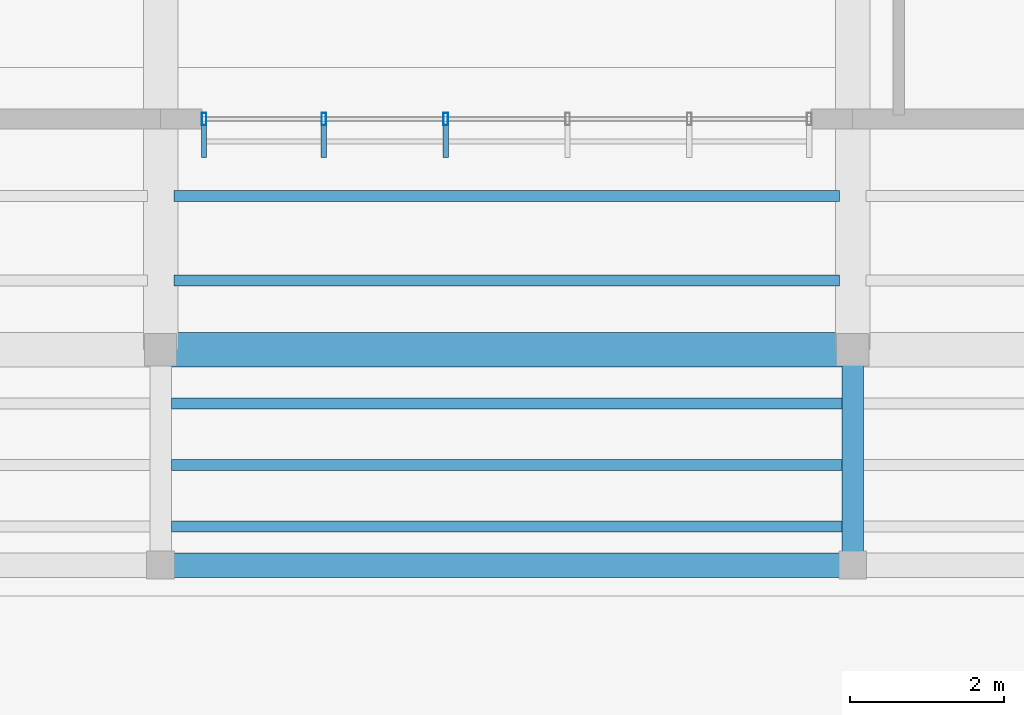
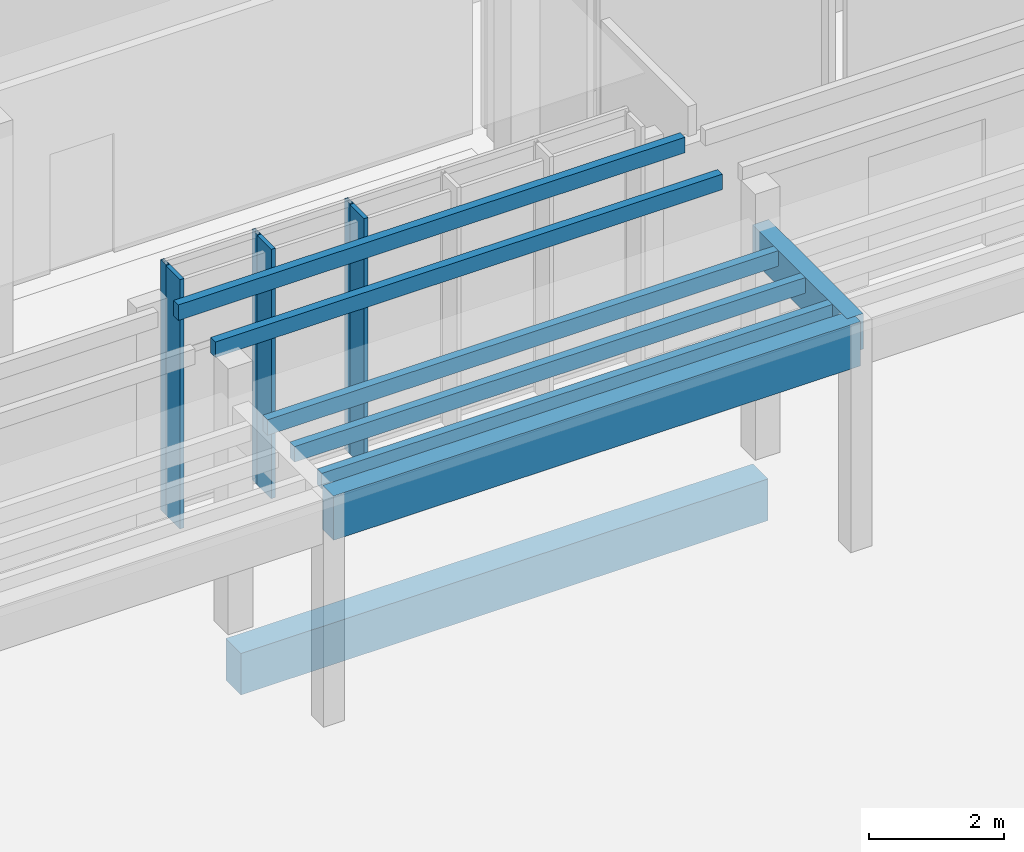
# One storey, part 33 of 151: 11 members, 3 beams, 1 element without a shape of its own.
"""IFC4 building model written with IfcOpenShell, lengths in metres."""

import ifcopenshell
import ifcopenshell.guid

model = None  # the IFC model being written
_history = None  # IfcOwnerHistory: only IFC2X3 demands one
_inside = {}  # id of a spatial element -> (the spatial element, [elements in it])
_under = {}  # id of a project, library or spatial element -> (it, [spatial elements below it])
_declared = {}  # id of a project -> (the project, [libraries it declares])
_typed = {}  # id of a type object -> (the type object, [elements of that type])
_made_of = {}  # id of a material, layer set ... -> (it, [elements and type objects made of it])


def new_model(schema):
    """Start an empty IFC model of exactly this schema.

    Asked for "IFC4X3", IfcOpenShell would pick the latest addendum, in which some entities
    have other attributes; the version numbers below select the first issue.
    IFC2X3 requires an IfcOwnerHistory on every rooted entity: one is made here for all.
    """
    global model, _history
    if schema == "IFC4X3":
        model = ifcopenshell.file(schema_version=(4, 3, 0, 0))
    else:
        model = ifcopenshell.file(schema=schema)
    _inside.clear()
    _under.clear()
    _declared.clear()
    _typed.clear()
    _made_of.clear()
    _history = None
    if model.schema == "IFC2X3":
        org = make("IfcOrganization", Name="unknown")
        user = make(
            "IfcPersonAndOrganization",
            ThePerson=make("IfcPerson", FamilyName="unknown"),
            TheOrganization=org,
        )
        app = make(
            "IfcApplication",
            ApplicationDeveloper=org,
            Version="unknown",
            ApplicationFullName="unknown",
            ApplicationIdentifier="unknown",
        )
        _history = make(
            "IfcOwnerHistory",
            OwningUser=user,
            OwningApplication=app,
            ChangeAction="ADDED",
            CreationDate=0,
        )
    return model


def make(cls, **values):
    """One entity of the class cls with the attributes given. An attribute that is None is left unset."""
    return model.create_entity(
        cls, **{name: value for name, value in values.items() if value is not None}
    )


def rooted(cls, **values):
    """An entity with a GlobalId (a new one), such as an element, a storey or a relation."""
    return make(cls, GlobalId=ifcopenshell.guid.new(), OwnerHistory=_history, **values)


def si_unit(unit_type, name, prefix=None):
    """IfcSIUnit, for example si_unit("LENGTHUNIT", "METRE", prefix="MILLI")."""
    return make("IfcSIUnit", UnitType=unit_type, Prefix=prefix, Name=name)


def assignment(units):
    """IfcUnitAssignment: the units of a project."""
    return None if units is None else make("IfcUnitAssignment", Units=units)


def point(xyz):
    """IfcCartesianPoint."""
    return None if xyz is None else make("IfcCartesianPoint", Coordinates=xyz)


def direction(xyz):
    """IfcDirection."""
    return None if xyz is None else make("IfcDirection", DirectionRatios=xyz)


def frame(location, z_axis=None, x_axis=None):
    """IfcAxis2Placement3D, a coordinate frame: its origin and axes. An axis left out is left unset."""
    return make(
        "IfcAxis2Placement3D",
        Location=point(location),
        Axis=direction(z_axis),
        RefDirection=direction(x_axis),
    )


def frame_2d(location, x_axis=None):
    """IfcAxis2Placement2D, a coordinate frame in the plane: its origin and x axis."""
    return make(
        "IfcAxis2Placement2D", Location=point(location), RefDirection=direction(x_axis)
    )


def origin():
    """The frame at (0, 0, 0) with its axes left unset."""
    return frame((0.0, 0.0, 0.0))


def origin_2d():
    """The frame at (0, 0) in the plane with its x axis left unset."""
    return frame_2d((0.0, 0.0))


def place(relative_to, where):
    """IfcLocalPlacement: puts the frame where relative to a parent placement (None: the world)."""
    return make(
        "IfcLocalPlacement", PlacementRelTo=relative_to, RelativePlacement=where
    )


def context(
    kind, dimensions, precision=None, world=None, true_north=None, identifier=None
):
    """IfcGeometricRepresentationContext, for example the 3D "Model" context."""
    return make(
        "IfcGeometricRepresentationContext",
        ContextIdentifier=identifier,
        ContextType=kind,
        CoordinateSpaceDimension=dimensions,
        Precision=precision,
        WorldCoordinateSystem=world,
        TrueNorth=true_north,
    )


def subcontext(parent, identifier, kind, view, scale=None):
    """IfcGeometricRepresentationSubContext, for example "Body" below "Model"."""
    return make(
        "IfcGeometricRepresentationSubContext",
        ContextIdentifier=identifier,
        ContextType=kind,
        ParentContext=parent,
        TargetScale=scale,
        TargetView=view,
    )


def project(units=None, contexts=None):
    """IfcProject with its units and contexts."""
    return rooted(
        "IfcProject",
        Name="project",
        RepresentationContexts=contexts,
        UnitsInContext=assignment(units),
    )


def spatial(cls, under=None, at=None, **own):
    """A site, building, storey or space (cls), placed at a placement, below another one or the project."""
    s = rooted(cls, ObjectPlacement=at, **own)
    if under is not None:
        _under.setdefault(under.id(), (under, []))[1].append(s)
    return s


def profile(cls, at=None, kind="AREA", **sizes):
    """A parametric profile (cls). Its sizes go by their IFC names, for example OverallWidth=200.0."""
    return make(cls, ProfileType=kind, Position=at, **sizes)


def rectangle(**sizes):
    """IfcRectangleProfileDef."""
    return profile("IfcRectangleProfileDef", **sizes)


def hollow_rectangle(**sizes):
    """IfcRectangleHollowProfileDef."""
    return profile("IfcRectangleHollowProfileDef", **sizes)


def extrude(swept, where, along, depth):
    """IfcExtrudedAreaSolid: the profile swept, set in the frame where, extruded along a direction by depth."""
    return make(
        "IfcExtrudedAreaSolid",
        SweptArea=swept,
        Position=where,
        ExtrudedDirection=direction(along),
        Depth=depth,
    )


def shape(context_of_items, identifier, shape_type, items):
    """IfcShapeRepresentation: the items that make up one representation, for example the "Body"."""
    return make(
        "IfcShapeRepresentation",
        ContextOfItems=context_of_items,
        RepresentationIdentifier=identifier,
        RepresentationType=shape_type,
        Items=items,
    )


def material(Name=None, Category=None):
    """IfcMaterial."""
    return make("IfcMaterial", Name=Name, Category=Category)


def material_profile(
    of_material, cross_section, Name=None, Category=None, Priority=None
):
    """IfcMaterialProfile: a cross section and its material."""
    return make(
        "IfcMaterialProfile",
        Name=Name,
        Material=of_material,
        Profile=cross_section,
        Priority=Priority,
        Category=Category,
    )


def profile_set(profiles, Name=None, composite=None):
    """IfcMaterialProfileSet."""
    return make(
        "IfcMaterialProfileSet",
        Name=Name,
        MaterialProfiles=profiles,
        CompositeProfile=composite,
    )


def made_of(thing, what):
    """Note that an element or type object is made of a material, layer set ...; save() writes the relation."""
    if what is not None:
        _made_of.setdefault(what.id(), (what, []))[1].append(thing)
    return thing


def type_object(cls, material=None, **own):
    """A type object (cls), such as IfcWallType, which elements share."""
    return made_of(rooted(cls, **own), material)


def element(
    cls,
    number,
    at=None,
    inside=None,
    cuts=None,
    type_object=None,
    material=None,
    context=None,
    identifier="Body",
    shape_type=None,
    held_by="IfcProductDefinitionShape",
    body=None,
    shapes=None,
    **own,
):
    """One element of the class cls, such as IfcWall. Its Tag is "e" and its number.

    at: its placement. inside: the storey or other place that contains it. cuts: it is an
    opening in that element (IfcRelVoidsElement). A single representation is given by context,
    identifier, shape_type and body (its items); several are given by shapes. held_by: the class
    of the entity that holds the representations. save() writes the other relations.
    """
    e = rooted(cls, Tag="e%d" % number, ObjectPlacement=at, **own)
    if body is not None:
        shapes = [shape(context, identifier, shape_type, body)]
    if shapes is not None:
        e.Representation = make(held_by, Representations=shapes)
    if inside is not None:
        _inside.setdefault(inside.id(), (inside, []))[1].append(e)
    if cuts is not None:
        rooted(
            "IfcRelVoidsElement", RelatingBuildingElement=cuts, RelatedOpeningElement=e
        )
    if type_object is not None:
        _typed.setdefault(type_object.id(), (type_object, []))[1].append(e)
    return made_of(e, material)


def aggregate(whole, parts):
    """IfcRelAggregates: a whole, such as a stair, and the parts it consists of."""
    return rooted("IfcRelAggregates", RelatingObject=whole, RelatedObjects=parts)


def save(model, path):
    """Write the relations noted so far, then the file.

    IfcRelAggregates (storeys below a building ...), IfcRelContainedInSpatialStructure (elements
    in a storey), IfcRelDefinesByType, IfcRelAssociatesMaterial and IfcRelDeclares: one each for
    every whole, place, type object, material and project.
    """
    for whole, parts in _under.values():
        aggregate(whole, parts)
    for where, things in _inside.values():
        rooted(
            "IfcRelContainedInSpatialStructure",
            RelatedElements=things,
            RelatingStructure=where,
        )
    for kind, things in _typed.values():
        rooted("IfcRelDefinesByType", RelatedObjects=things, RelatingType=kind)
    for what, things in _made_of.values():
        rooted("IfcRelAssociatesMaterial", RelatedObjects=things, RelatingMaterial=what)
    for by, libraries in _declared.values():
        rooted("IfcRelDeclares", RelatingContext=by, RelatedDefinitions=libraries)
    model.write(path)


model = new_model("IFC4")

# Units and contexts
model_context = context("Model", 3, precision=1e-05, world=origin(), true_north=direction((0.0, 1.0)))
body_context = subcontext(model_context, "Body", "Model", "MODEL_VIEW")
ifc_project = project(units=[si_unit("LENGTHUNIT", "METRE"), si_unit("AREAUNIT", "SQUARE_METRE"), si_unit("VOLUMEUNIT", "CUBIC_METRE"), si_unit("PLANEANGLEUNIT", "RADIAN"), si_unit("MASSUNIT", "GRAM", prefix="KILO")], contexts=[model_context])

# Site, building, storey
site_placement = place(None, origin())
site = spatial("IfcSite", under=ifc_project, at=site_placement, CompositionType="ELEMENT")
building_placement = place(site_placement, origin())
building = spatial("IfcBuilding", under=site, at=building_placement, Name="Chiffa Square Polytechnic", CompositionType="ELEMENT")
storey_placement = place(building_placement, origin())
storey = spatial("IfcBuildingStorey", under=building, at=storey_placement, Name="L00", CompositionType="ELEMENT", Elevation=0.0)

# Curtain wall, members
ifc_material_1 = material(Name="Aluminium EN AW-6060 T66 and glulam shading", Category="wood")
curtain_wall_type = type_object("IfcCurtainWallType", Name="CW-VERT-300X380", PredefinedType="USERDEFINED", material=ifc_material_1)
curtain_wall_placement = place(storey_placement, origin())
curtain_wall = element("IfcCurtainWall", 1, at=curtain_wall_placement, inside=storey, type_object=curtain_wall_type, Name="Curtain wall CW-V4-L00-179", ObjectType="CURTAIN WALL", PredefinedType="USERDEFINED")
ifc_material_2 = material(Name="Aluminium EN AW-6060 T66", Category="aluminium")
ifc_material_profile_1 = material_profile(ifc_material_2, hollow_rectangle(XDim=0.06005859375, YDim=0.159912109375, WallThickness=0.00390625, at=origin_2d()), Name="ALU 60x160x4")
ifc_profile_set_1 = profile_set([ifc_material_profile_1], Name="Aluminium EN AW-6060 T66")
member_type_1 = type_object("IfcMemberType", Name="CWM-ALU-65X150", PredefinedType="MULLION", material=ifc_profile_set_1)
member_1_placement = place(storey_placement, frame((76.1650390625, 24.60009765625, 0.0), z_axis=(0.0, 0.0, 1.0), x_axis=(1.0, 0.0, 0.0)))
member_1 = element("IfcMember", 2, at=member_1_placement, type_object=member_type_1, Name="Curtain wall mullion CW-V4-L00-179-M00", PredefinedType="MULLION", context=body_context, shape_type="SweptSolid", body=[
    extrude(hollow_rectangle(XDim=0.06005859375, YDim=0.159912109375, WallThickness=0.00390625, at=origin_2d()), origin(), (0.0, 0.0, 1.0), 4.52001953125),
])
member_2_placement = place(storey_placement, frame((77.72412109375, 24.60009765625, 0.0), z_axis=(0.0, 0.0, 1.0), x_axis=(1.0, 0.0, 0.0)))
member_2 = element("IfcMember", 3, at=member_2_placement, type_object=member_type_1, Name="Curtain wall mullion CW-V4-L00-179-M01", PredefinedType="MULLION", context=body_context, shape_type="SweptSolid", body=[
    extrude(hollow_rectangle(XDim=0.06005859375, YDim=0.159912109375, WallThickness=0.00390625, at=origin_2d()), origin(), (0.0, 0.0, 1.0), 4.52001953125),
])
member_3_placement = place(storey_placement, frame((79.30810546875, 24.60009765625, 0.0), z_axis=(0.0, 0.0, 1.0), x_axis=(1.0, 0.0, 0.0)))
member_3 = element("IfcMember", 4, at=member_3_placement, type_object=member_type_1, Name="Curtain wall mullion CW-V4-L00-179-M02", PredefinedType="MULLION", context=body_context, shape_type="SweptSolid", body=[
    extrude(hollow_rectangle(XDim=0.06005859375, YDim=0.159912109375, WallThickness=0.00390625, at=origin_2d()), origin(), (0.0, 0.0, 1.0), 4.52001953125),
])
ifc_material_3 = material(Name="Glulam GL28h", Category="wood")
ifc_material_profile_2 = material_profile(ifc_material_3, rectangle(XDim=0.070068359375, YDim=0.419921875, at=origin_2d()), Name="GL28h 70x420")
ifc_profile_set_2 = profile_set([ifc_material_profile_2], Name="Glulam GL28h")
member_type_2 = type_object("IfcMemberType", Name="CWM-GL-70X420", PredefinedType="MULLION", material=ifc_profile_set_2)
member_4_placement = place(storey_placement, frame((76.1650390625, 24.30810546875, 0.010009765625), z_axis=(0.0, 0.0, 1.0), x_axis=(1.0, 0.0, 0.0)))
member_4 = element("IfcMember", 5, at=member_4_placement, type_object=member_type_2, Name="Exterior glulam solar fin CW-V4-L00-179-FN00", PredefinedType="MULLION", context=body_context, shape_type="SweptSolid", body=[
    extrude(rectangle(XDim=0.070068359375, YDim=0.419921875, at=origin_2d()), origin(), (0.0, 0.0, 1.0), 4.5),
])
member_5_placement = place(storey_placement, frame((77.72412109375, 24.30810546875, 0.010009765625), z_axis=(0.0, 0.0, 1.0), x_axis=(1.0, 0.0, 0.0)))
member_5 = element("IfcMember", 6, at=member_5_placement, type_object=member_type_2, Name="Exterior glulam solar fin CW-V4-L00-179-FN01", PredefinedType="MULLION", context=body_context, shape_type="SweptSolid", body=[
    extrude(rectangle(XDim=0.070068359375, YDim=0.419921875, at=origin_2d()), origin(), (0.0, 0.0, 1.0), 4.5),
])
member_6_placement = place(storey_placement, frame((79.30810546875, 24.30810546875, 0.010009765625), z_axis=(0.0, 0.0, 1.0), x_axis=(1.0, 0.0, 0.0)))
member_6 = element("IfcMember", 7, at=member_6_placement, type_object=member_type_2, Name="Exterior glulam solar fin CW-V4-L00-179-FN02", PredefinedType="MULLION", context=body_context, shape_type="SweptSolid", body=[
    extrude(rectangle(XDim=0.070068359375, YDim=0.419921875, at=origin_2d()), origin(), (0.0, 0.0, 1.0), 4.5),
])
aggregate(curtain_wall, [member_1, member_4, member_2, member_5, member_3, member_6])

# Beam
ifc_material_4 = material(Name="Concrete C35/45", Category="concrete")
ifc_material_profile_3 = material_profile(ifc_material_4, rectangle(XDim=0.449951171875, YDim=0.75, at=origin_2d()), Name="RC 450x750")
ifc_profile_set_3 = profile_set([ifc_material_profile_3], Name="Concrete C35/45")
beam_type_1 = type_object("IfcBeamType", Name="GB-RC-450X750", PredefinedType="BEAM", material=ifc_profile_set_3)
beam_1_placement = place(storey_placement, frame((75.60009765625, 21.60009765625, -0.77490234375), z_axis=(1.0, 0.0, 0.0), x_axis=(0.0, 1.0, 0.0)))
element("IfcBeam", 8, at=beam_1_placement, inside=storey, type_object=beam_type_1, Name="Ground tie beam GB-V4-X-100", PredefinedType="BEAM", context=body_context, shape_type="SweptSolid", body=[
    extrude(rectangle(XDim=0.449951171875, YDim=0.75, at=origin_2d()), origin(), (0.0, 0.0, 1.0), 9.0),
])

# Members
ifc_material_profile_4 = material_profile(ifc_material_3, rectangle(XDim=0.139892578125, YDim=0.280029296875, at=origin_2d()), Name="GL28h 140x280")
ifc_profile_set_4 = profile_set([ifc_material_profile_4], Name="Glulam GL28h")
member_type_3 = type_object("IfcMemberType", Name="MEM-RFT-GL140", PredefinedType="RAFTER", material=ifc_profile_set_4)
for number, where, z_axis, x_axis, name in (
    (9, (75.739990234375, 19.300048828125, 3.9599609375), (1.0, 0.0, 0.0), (0.0, 1.0, 0.0), "Civic square timber pergola rafter RF-SQN-03-193"),
    (10, (75.739990234375, 20.10009765625, 3.9599609375), (1.0, 0.0, 0.0), (0.0, 1.0, 0.0), "Civic square timber pergola rafter RF-SQN-03-201"),
    (11, (75.739990234375, 20.89990234375, 3.9599609375), (1.0, 0.0, 0.0), (0.0, 1.0, 0.0), "Civic square timber pergola rafter RF-SQN-03-209"),
):
    element("IfcMember", number, at=place(storey_placement, frame(where, z_axis=z_axis, x_axis=x_axis)), inside=storey, type_object=member_type_3, Name=name, PredefinedType="RAFTER", context=body_context, shape_type="SweptSolid", body=[
        extrude(rectangle(XDim=0.139892578125, YDim=0.280029296875, at=origin_2d()), origin(), (0.0, 0.0, 1.0), 8.719970703125),
    ])
for number, where, z_axis, x_axis, name in (
    (12, (75.77294921875, 22.5, 4.382080078125), (1.0, 0.0, 0.0), (0.0, 1.0, 0.0), "Chiffa Square colonnade purlin rafter RF-COL-S-013"),
    (13, (75.77294921875, 23.60009765625, 4.382080078125), (1.0, 0.0, 0.0), (0.0, 1.0, 0.0), "Chiffa Square colonnade purlin rafter RF-COL-S-014"),
):
    element("IfcMember", number, at=place(storey_placement, frame(where, z_axis=z_axis, x_axis=x_axis)), inside=storey, type_object=member_type_3, Name=name, PredefinedType="RAFTER", context=body_context, shape_type="SweptSolid", body=[
        extrude(rectangle(XDim=0.139892578125, YDim=0.280029296875, at=origin_2d()), origin(), (0.0, 0.0, 1.0), 8.654052734375),
    ])

# Beams
ifc_material_profile_5 = material_profile(ifc_material_3, rectangle(XDim=0.280029296875, YDim=0.639892578125, at=origin_2d()), Name="GL28h 280x640")
ifc_profile_set_5 = profile_set([ifc_material_profile_5], Name="Glulam GL28h")
beam_type_2 = type_object("IfcBeamType", Name="RB-GL-280X640", PredefinedType="SPANDREL", material=ifc_profile_set_5)
beam_2_placement = place(storey_placement, frame((84.60009765625, 18.800048828125, 3.780029296875), z_axis=(0.0, 1.0, 0.0), x_axis=(-1.0, 0.0, 0.0)))
element("IfcBeam", 14, at=beam_2_placement, inside=storey, type_object=beam_type_2, Name="Civic square portico tie beam RB-SQN-TIE-04", PredefinedType="SPANDREL", context=body_context, shape_type="SweptSolid", body=[
    extrude(rectangle(XDim=0.280029296875, YDim=0.639892578125, at=origin_2d()), origin(), (0.0, 0.0, 1.0), 2.800048828125),
])
ifc_material_profile_6 = material_profile(ifc_material_3, rectangle(XDim=0.320068359375, YDim=0.800048828125, at=origin_2d()), Name="GL28h 320x800")
ifc_profile_set_6 = profile_set([ifc_material_profile_6], Name="Glulam GL28h")
beam_type_3 = type_object("IfcBeamType", Name="RB-GL-320X800", PredefinedType="SPANDREL", material=ifc_profile_set_6)
beam_3_placement = place(storey_placement, frame((75.60009765625, 18.800048828125, 3.699951171875), z_axis=(1.0, 0.0, 0.0), x_axis=(0.0, 1.0, 0.0)))
element("IfcBeam", 15, at=beam_3_placement, inside=storey, type_object=beam_type_3, Name="Civic square portico edge beam RB-SQN-EDGE-03", PredefinedType="SPANDREL", context=body_context, shape_type="SweptSolid", body=[
    extrude(rectangle(XDim=0.320068359375, YDim=0.800048828125, at=origin_2d()), origin(), (0.0, 0.0, 1.0), 9.0),
])

save(model, "model.ifc")
